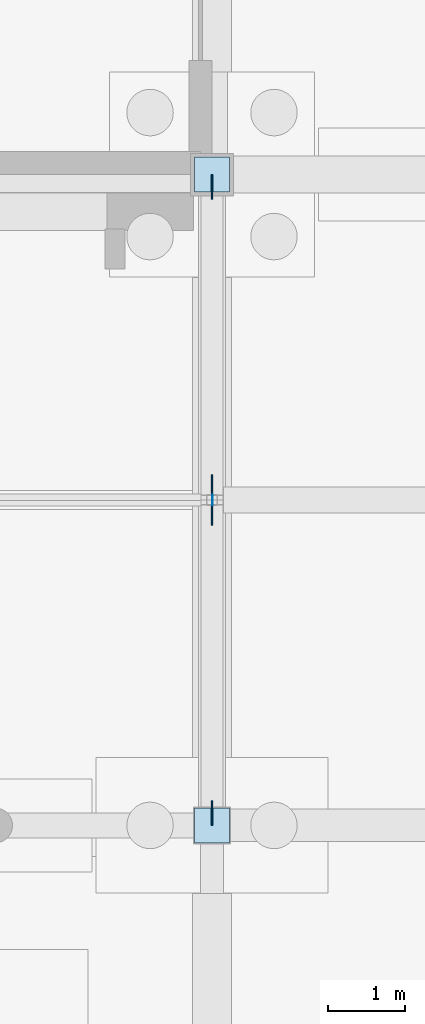
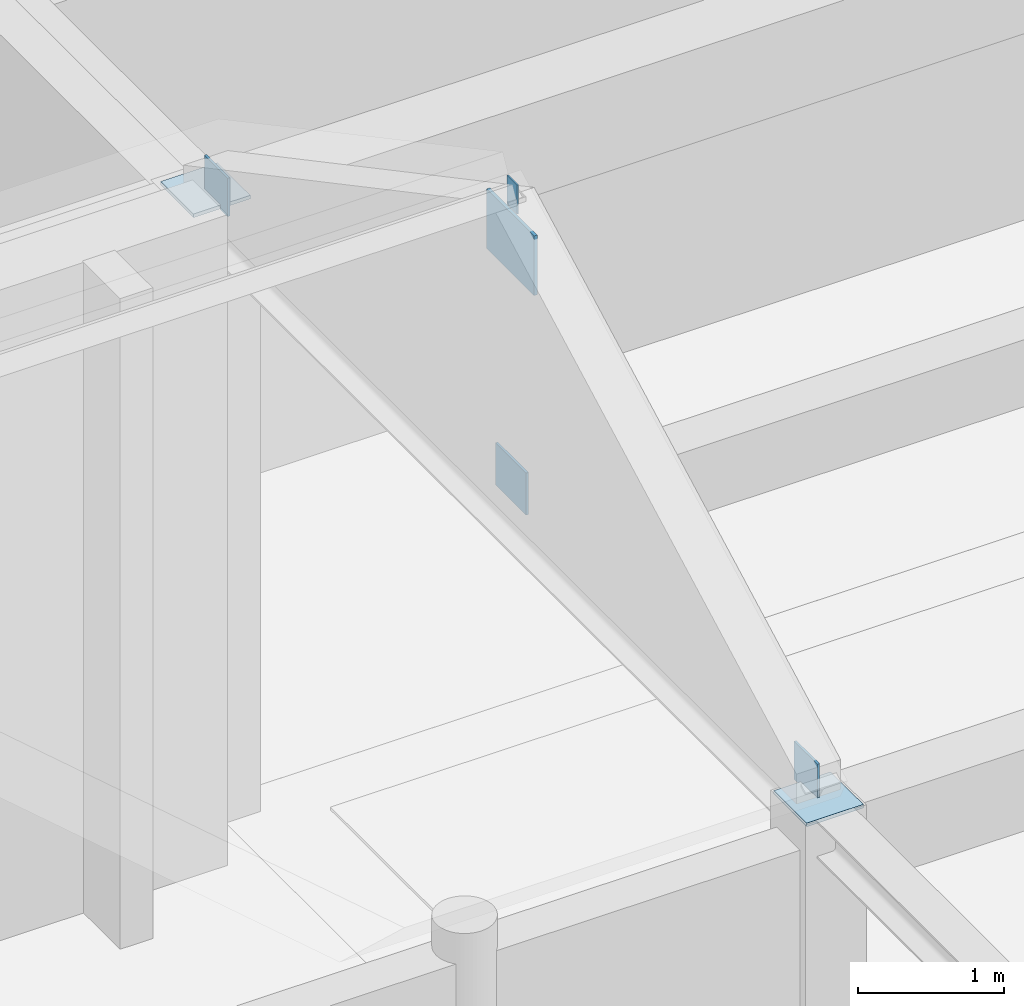
# One storey, part 100 of 143: 7 plates.
"""IFC4 building model written with IfcOpenShell, lengths in metres."""

from ifc_helpers import new_model, si_unit, direction, frame, origin, origin_2d, place, context, subcontext, project, spatial, rectangle, extrude, material, layer, layer_set, type_object, element, save


model = new_model("IFC4")

# Units and contexts
model_context = context("Model", 3, precision=1e-05, world=origin(), true_north=direction((0.0, 1.0)))
body_context = subcontext(model_context, "Body", "Model", "MODEL_VIEW")
ifc_project = project(units=[si_unit("LENGTHUNIT", "METRE"), si_unit("AREAUNIT", "SQUARE_METRE"), si_unit("VOLUMEUNIT", "CUBIC_METRE"), si_unit("PLANEANGLEUNIT", "RADIAN"), si_unit("MASSUNIT", "GRAM", prefix="KILO")], contexts=[model_context])

# Site, building, storey
site_placement = place(None, origin())
site = spatial("IfcSite", under=ifc_project, at=site_placement, CompositionType="ELEMENT")
building_placement = place(site_placement, origin())
building = spatial("IfcBuilding", under=site, at=building_placement, Name="Kveldsbrygga Polytechnic", CompositionType="ELEMENT")
storey_placement = place(building_placement, origin())
storey = spatial("IfcBuildingStorey", under=building, at=storey_placement, Name="L00", CompositionType="ELEMENT", Elevation=0.0)

# Plates
ifc_material = material(Name="Steel S355", Category="steel")
ifc_layer_1 = layer(ifc_material, 0.030029296875)
ifc_layer_set_1 = layer_set([ifc_layer_1], Name="Steel S355")
plate_type_1 = type_object("IfcPlateType", Name="CAP-BEAR-450", PredefinedType="SHEET", material=ifc_layer_set_1)
for number, where, z_axis, x_axis, name in (
    (1, (50.39990234375, 75.60009765625, 5.10986328125), (0.0, 0.0, 1.0), (1.0, 0.0, 0.0), "Truss Bearing Plate ARC-WN-T03-A"),
    (2, (50.39990234375, 84.0, 5.10986328125), (0.0, 0.0, 1.0), (1.0, 0.0, 0.0), "Truss Bearing Plate ARC-WN-T03-B"),
):
    element("IfcPlate", number, at=place(storey_placement, frame(where, z_axis=z_axis, x_axis=x_axis)), inside=storey, type_object=plate_type_1, Name=name, PredefinedType="SHEET", context=body_context, shape_type="SweptSolid", body=[
        extrude(rectangle(XDim=0.449951171875, YDim=0.449951171875, at=origin_2d()), origin(), (0.0, 0.0, 1.0), 0.030029296875),
    ])
ifc_layer_2 = layer(ifc_material, 0.011962890625)
ifc_layer_set_2 = layer_set([ifc_layer_2], Name="Steel S355")
plate_type_2 = type_object("IfcPlateType", Name="CAP-PRL-200", PredefinedType="SHEET", material=ifc_layer_set_2)
plate_1_placement = place(storey_placement, frame((50.406005859375, 79.800048828125, 7.513671875), z_axis=(0.0, 0.0, 1.0), x_axis=(1.0, 0.0, 0.0)))
element("IfcPlate", 3, at=plate_1_placement, inside=storey, type_object=plate_type_2, Name="Purlin End Cap Plate ARC-WN-EP-B-1", PredefinedType="SHEET", context=body_context, shape_type="SweptSolid", body=[
    extrude(rectangle(XDim=0.011962890625, YDim=0.139892578125, at=origin_2d()), origin(), (0.0, 0.0, 1.0), 0.239990234375),
])
ifc_layer_3 = layer(ifc_material, 0.02490234375)
ifc_layer_set_3 = layer_set([ifc_layer_3], Name="Steel S355")
plate_type_3 = type_object("IfcPlateType", Name="GUS-APEX-650", PredefinedType="SHEET", material=ifc_layer_set_3)
plate_2_placement = place(storey_placement, frame((50.39990234375, 79.800048828125, 6.989990234375), z_axis=(0.0, 0.0, 1.0), x_axis=(1.0, 0.0, 0.0)))
element("IfcPlate", 4, at=plate_2_placement, inside=storey, type_object=plate_type_3, Name="Truss Gusset Plate ARC-WN-T03-GP-1", PredefinedType="SHEET", context=body_context, shape_type="SweptSolid", body=[
    extrude(rectangle(XDim=0.02490234375, YDim=0.64990234375, at=origin_2d()), origin(), (0.0, 0.0, 1.0), 0.5),
])
ifc_layer_4 = layer(ifc_material, 0.01806640625)
ifc_layer_set_4 = layer_set([ifc_layer_4], Name="Steel S355")
plate_type_4 = type_object("IfcPlateType", Name="GUS-BRACE-320", PredefinedType="SHEET", material=ifc_layer_set_4)
for number, where, z_axis, x_axis, name in (
    (5, (50.39990234375, 75.760009765625, 5.10009765625), (0.0, 0.0, 1.0), (1.0, 0.0, 0.0), "Truss Eaves Node Gusset ARC-WN-T03-EGP-A"),
    (6, (50.39990234375, 83.840087890625, 5.10009765625), (0.0, 0.0, 1.0), (1.0, 0.0, 0.0), "Truss Eaves Node Gusset ARC-WN-T03-EGP-B"),
):
    element("IfcPlate", number, at=place(storey_placement, frame(where, z_axis=z_axis, x_axis=x_axis)), inside=storey, type_object=plate_type_4, Name=name, PredefinedType="SHEET", context=body_context, shape_type="SweptSolid", body=[
        extrude(rectangle(XDim=0.01806640625, YDim=0.320068359375, at=origin_2d()), origin(), (0.0, 0.0, 1.0), 0.320068359375),
    ])
ifc_layer_5 = layer(ifc_material, 0.02001953125)
ifc_layer_set_5 = layer_set([ifc_layer_5], Name="Steel S355")
plate_type_5 = type_object("IfcPlateType", Name="GUS-LECT-420", PredefinedType="SHEET", material=ifc_layer_set_5)
plate_3_placement = place(storey_placement, frame((50.39990234375, 79.800048828125, 5.0849609375), z_axis=(0.0, 0.0, 1.0), x_axis=(1.0, 0.0, 0.0)))
element("IfcPlate", 7, at=plate_3_placement, inside=storey, type_object=plate_type_5, Name="Truss Bottom-Chord Node Gusset ARC-WN-T03-BGP-1", PredefinedType="SHEET", context=body_context, shape_type="SweptSolid", body=[
    extrude(rectangle(XDim=0.02001953125, YDim=0.419921875, at=origin_2d()), origin(), (0.0, 0.0, 1.0), 0.35009765625),
])

save(model, "model.ifc")
